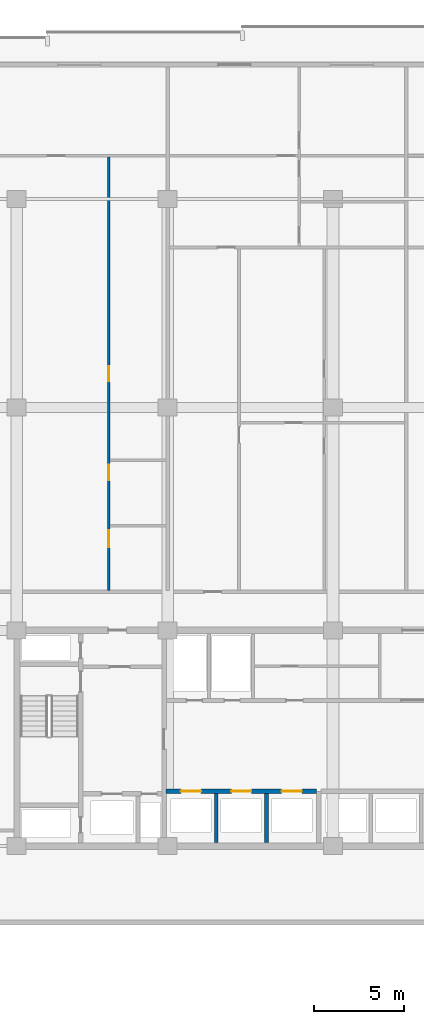
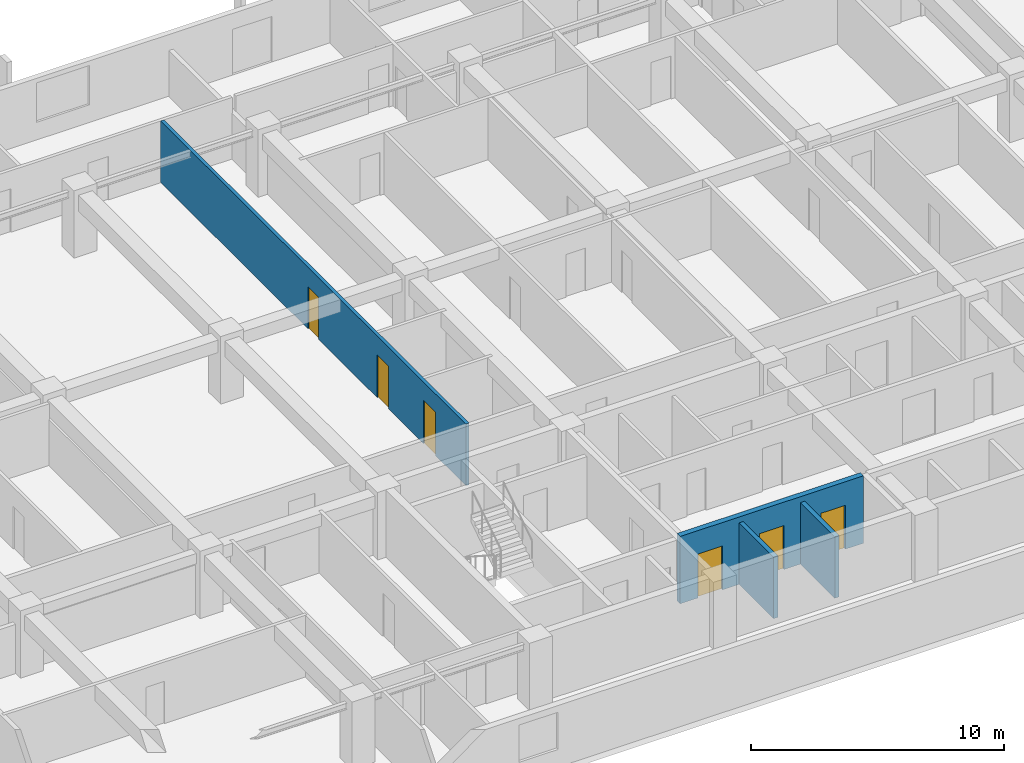
# One storey, part 10 of 23: 6 doors, 4 walls, 6 openings.
"""IFC4 building model written with IfcOpenShell, lengths in metres."""

from ifc_helpers import new_model, si_unit, direction, frame, frame_2d, origin, place, context, subcontext, project, spatial, rectangle, extrude, material, layer, layer_set, type_object, element, fill, save


model = new_model("IFC4")

# Units and contexts
model_context = context("Model", 3, precision=1e-05, world=origin(), true_north=direction((0.0, 1.0)))
body_context = subcontext(model_context, "Body", "Model", "MODEL_VIEW")
ifc_project = project(units=[si_unit("LENGTHUNIT", "METRE"), si_unit("AREAUNIT", "SQUARE_METRE"), si_unit("VOLUMEUNIT", "CUBIC_METRE"), si_unit("PLANEANGLEUNIT", "RADIAN"), si_unit("MASSUNIT", "GRAM", prefix="KILO")], contexts=[model_context])

# Site, building, storey
site_placement = place(None, origin())
site = spatial("IfcSite", under=ifc_project, at=site_placement, CompositionType="ELEMENT")
building_placement = place(site_placement, origin())
building = spatial("IfcBuilding", under=site, at=building_placement, Name="Korimba Cascade Residences", CompositionType="ELEMENT")
storey_placement = place(building_placement, frame((0.0, 0.0, 33.75)))
storey = spatial("IfcBuildingStorey", under=building, at=storey_placement, Name="L08", CompositionType="ELEMENT", Elevation=33.75)

# Wall, openings, doors
ifc_material_1 = material(Name="Insulated Acoustic Stud Partition", Category="gypsum")
ifc_layer_1 = layer(ifc_material_1, 0.14990234375)
ifc_layer_set_1 = layer_set([ifc_layer_1], Name="Insulated Acoustic Stud Partition")
wall_type_1 = type_object("IfcWallType", Name="WAL-PART-150", PredefinedType="PARTITIONING", material=ifc_layer_set_1)
wall_1_placement = place(storey_placement, frame((81.2294921875, 69.409912109375, 0.0), z_axis=(0.0, 0.0, 1.0), x_axis=(0.0, 1.0, 0.0)))
wall_1 = element("IfcWall", 1, at=wall_1_placement, inside=storey, type_object=wall_type_1, Name="L08 Partition Wall WAL-L08-T1-U02-WCV", PredefinedType="PARTITIONING", context=body_context, shape_type="SweptSolid", body=[
    extrude(rectangle(XDim=24.130126953125, YDim=0.14990234375, at=frame_2d((12.06494140625, 0.0))), origin(), (0.0, 0.0, 1.0), 2.969970703125),
])
opening_1_placement = place(wall_1_placement, frame((2.406005859375, 0.0, 0.0)))
opening_1 = element("IfcOpeningElement", 2, at=opening_1_placement, cuts=wall_1, Name="Opening D-AC1", PredefinedType="OPENING", context=body_context, shape_type="SweptSolid", body=[
    extrude(rectangle(XDim=0.9599609375, YDim=2.10009765625, at=frame_2d((0.47998046875, 1.050048828125))), frame((0.0, 0.0849609375, 0.0), z_axis=(0.0, -1.0, 0.0), x_axis=(1.0, 0.0, 0.0)), (0.0, 0.0, 1.0), 0.169921875),
])
opening_2_placement = place(wall_1_placement, frame((6.132568359375, 0.0, 0.0)))
opening_2 = element("IfcOpeningElement", 3, at=opening_2_placement, cuts=wall_1, Name="Opening D-IN2", PredefinedType="OPENING", context=body_context, shape_type="SweptSolid", body=[
    extrude(rectangle(XDim=0.8798828125, YDim=2.06005859375, at=frame_2d((0.43994140625, 1.030029296875))), frame((0.0, 0.0849609375, 0.0), z_axis=(0.0, -1.0, 0.0), x_axis=(1.0, 0.0, 0.0)), (0.0, 0.0, 1.0), 0.169921875),
])
opening_3_placement = place(wall_1_placement, frame((11.64501953125, 0.0, 0.0)))
opening_3 = element("IfcOpeningElement", 4, at=opening_3_placement, cuts=wall_1, Name="Opening D-BT1", PredefinedType="OPENING", context=body_context, shape_type="SweptSolid", body=[
    extrude(rectangle(XDim=0.840087890625, YDim=2.0400390625, at=frame_2d((0.419921875, 1.02001953125))), frame((0.0, 0.0849609375, 0.0), z_axis=(0.0, -1.0, 0.0), x_axis=(1.0, 0.0, 0.0)), (0.0, 0.0, 1.0), 0.169921875),
])
ifc_material_2 = material(Name="Accessible Acoustic Timber WC Door", Category="wood")
door_type_1 = type_object("IfcDoorType", Name="DR-ACC-950", OperationType="NOTDEFINED", PredefinedType="DOOR", material=ifc_material_2)
door_1_placement = place(opening_1_placement, origin())
door_1 = element("IfcDoor", 5, at=door_1_placement, inside=storey, type_object=door_type_1, Name="L08-T1-U02 Accessible WC Door", OperationType="SINGLE_SWING_RIGHT", OverallHeight=2.10009765625, OverallWidth=0.9599609375, PredefinedType="DOOR", context=body_context, shape_type="SweptSolid", body=[
    extrude(rectangle(XDim=0.9599609375, YDim=2.10009765625, at=frame_2d((0.47998046875, 1.050048828125))), frame((0.0, 0.02490234375, 0.0), z_axis=(0.0, -1.0, 0.0), x_axis=(1.0, 0.0, 0.0)), (0.0, 0.0, 1.0), 0.050048828125),
])
fill(opening_1, door_1)
ifc_material_3 = material(Name="Moisture-Resistant Bathroom Timber Door", Category="wood")
door_type_2 = type_object("IfcDoorType", Name="DR-INT-850", OperationType="NOTDEFINED", PredefinedType="DOOR", material=ifc_material_3)
door_2_placement = place(opening_3_placement, origin())
door_2 = element("IfcDoor", 6, at=door_2_placement, inside=storey, type_object=door_type_2, Name="L08-T1-U02 Suite Store Door", OperationType="SINGLE_SWING_RIGHT", OverallHeight=2.0400390625, OverallWidth=0.840087890625, PredefinedType="DOOR", context=body_context, shape_type="SweptSolid", body=[
    extrude(rectangle(XDim=0.840087890625, YDim=2.0400390625, at=frame_2d((0.419921875, 1.02001953125))), frame((0.0, 0.02490234375, 0.0), z_axis=(0.0, -1.0, 0.0), x_axis=(1.0, 0.0, 0.0)), (0.0, 0.0, 1.0), 0.050048828125),
])
fill(opening_3, door_2)
ifc_material_4 = material(Name="Acoustic Timber Bedroom Door", Category="wood")
door_type_3 = type_object("IfcDoorType", Name="DR-INT-880", OperationType="NOTDEFINED", PredefinedType="DOOR", material=ifc_material_4)
door_3_placement = place(opening_2_placement, origin())
door_3 = element("IfcDoor", 7, at=door_3_placement, inside=storey, type_object=door_type_3, Name="L08-T1-U02 Restroom WC Door", OperationType="SINGLE_SWING_LEFT", OverallHeight=2.06005859375, OverallWidth=0.8798828125, PredefinedType="DOOR", context=body_context, shape_type="SweptSolid", body=[
    extrude(rectangle(XDim=0.8798828125, YDim=2.06005859375, at=frame_2d((0.43994140625, 1.030029296875))), frame((0.0, 0.02490234375, 0.0), z_axis=(0.0, -1.0, 0.0), x_axis=(1.0, 0.0, 0.0)), (0.0, 0.0, 1.0), 0.050048828125),
])
fill(opening_2, door_3)

# Walls
ifc_material_5 = material(Name="Concrete C40/50", Category="concrete")
ifc_layer_2 = layer(ifc_material_5, 0.199951171875)
ifc_layer_set_2 = layer_set([ifc_layer_2], Name="Concrete C40/50")
wall_type_2 = type_object("IfcWallType", Name="WAL-PART-200", PredefinedType="PARTITIONING", material=ifc_layer_set_2)
for number, where, z_axis, x_axis, name in (
    (8, (87.199951171875, 55.39990234375, 0.0), (0.0, 0.0, 1.0), (0.0, 1.0, 0.0), "L08 Partition Wall CW-L08-T1-B1D1"),
    (9, (90.0, 55.39990234375, 0.0), (0.0, 0.0, 1.0), (0.0, 1.0, 0.0), "L08 Partition Wall CW-L08-T1-B1D2"),
):
    element("IfcWall", number, at=place(storey_placement, frame(where, z_axis=z_axis, x_axis=x_axis)), inside=storey, type_object=wall_type_2, Name=name, PredefinedType="PARTITIONING", context=body_context, shape_type="SweptSolid", body=[
        extrude(rectangle(XDim=2.72021484375, YDim=0.199951171875, at=frame_2d((1.360107421875, 0.0))), origin(), (0.0, 0.0, 1.0), 2.969970703125),
    ])

# Wall, openings, doors
ifc_material_6 = material(Name="Concrete C50/60", Category="concrete")
ifc_layer_3 = layer(ifc_material_6, 0.25)
ifc_layer_set_3 = layer_set([ifc_layer_3], Name="Concrete C50/60")
wall_type_3 = type_object("IfcWallType", Name="WAL-SHAFT-250", PredefinedType="SHEAR", material=ifc_layer_set_3)
wall_2_placement = place(storey_placement, frame((84.419921875, 58.25, 0.0), z_axis=(0.0, 0.0, 1.0), x_axis=(1.0, 0.0, 0.0)))
wall_2 = element("IfcWall", 10, at=wall_2_placement, inside=storey, type_object=wall_type_3, Name="L08 Core Shear Wall CW-L08-T1-B1N", PredefinedType="SHEAR", context=body_context, shape_type="SweptSolid", body=[
    extrude(rectangle(XDim=8.360107421875, YDim=0.25, at=frame_2d((4.18017578125, 0.0))), origin(), (0.0, 0.0, 1.0), 3.25),
])
opening_4_placement = place(wall_2_placement, frame((0.820068359375, 0.0, 0.0)))
opening_4 = element("IfcOpeningElement", 11, at=opening_4_placement, cuts=wall_2, Name="Opening LD-01", PredefinedType="OPENING", context=body_context, shape_type="SweptSolid", body=[
    extrude(rectangle(XDim=1.1201171875, YDim=2.1201171875, at=frame_2d((0.56005859375, 1.06005859375))), frame((0.0, 0.135009765625, 0.0), z_axis=(0.0, -1.0, 0.0), x_axis=(1.0, 0.0, 0.0)), (0.0, 0.0, 1.0), 0.27001953125),
])
opening_5_placement = place(wall_2_placement, frame((3.6201171875, 0.0, 0.0)))
opening_5 = element("IfcOpeningElement", 12, at=opening_5_placement, cuts=wall_2, Name="Opening LD-01", PredefinedType="OPENING", context=body_context, shape_type="SweptSolid", body=[
    extrude(rectangle(XDim=1.1201171875, YDim=2.1201171875, at=frame_2d((0.56005859375, 1.06005859375))), frame((0.0, 0.135009765625, 0.0), z_axis=(0.0, -1.0, 0.0), x_axis=(1.0, 0.0, 0.0)), (0.0, 0.0, 1.0), 0.27001953125),
])
opening_6_placement = place(wall_2_placement, frame((6.419921875, 0.0, 0.0)))
opening_6 = element("IfcOpeningElement", 13, at=opening_6_placement, cuts=wall_2, Name="Opening LD-01", PredefinedType="OPENING", context=body_context, shape_type="SweptSolid", body=[
    extrude(rectangle(XDim=1.1201171875, YDim=2.1201171875, at=frame_2d((0.56005859375, 1.06005859375))), frame((0.0, 0.135009765625, 0.0), z_axis=(0.0, -1.0, 0.0), x_axis=(1.0, 0.0, 0.0)), (0.0, 0.0, 1.0), 0.27001953125),
])
ifc_material_7 = material(Name="Stainless Steel Lift Landing Sliding Door", Category="steel")
door_type_4 = type_object("IfcDoorType", Name="DR-LIFT-1100", OperationType="NOTDEFINED", PredefinedType="DOOR", material=ifc_material_7)
door_4_placement = place(opening_4_placement, origin())
door_4 = element("IfcDoor", 14, at=door_4_placement, inside=storey, type_object=door_type_4, Name="L08 Lift Landing Door PL-W1", OperationType="SLIDING_TO_LEFT", OverallHeight=2.1201171875, OverallWidth=1.1201171875, PredefinedType="DOOR", context=body_context, shape_type="SweptSolid", body=[
    extrude(rectangle(XDim=1.1201171875, YDim=2.1201171875, at=frame_2d((0.56005859375, 1.06005859375))), frame((0.0, 0.02490234375, 0.0), z_axis=(0.0, -1.0, 0.0), x_axis=(1.0, 0.0, 0.0)), (0.0, 0.0, 1.0), 0.050048828125),
])
fill(opening_4, door_4)
door_5_placement = place(opening_5_placement, origin())
door_5 = element("IfcDoor", 15, at=door_5_placement, inside=storey, type_object=door_type_4, Name="L08 Lift Landing Door PL-W2", OperationType="SLIDING_TO_LEFT", OverallHeight=2.1201171875, OverallWidth=1.1201171875, PredefinedType="DOOR", context=body_context, shape_type="SweptSolid", body=[
    extrude(rectangle(XDim=1.1201171875, YDim=2.1201171875, at=frame_2d((0.56005859375, 1.06005859375))), frame((0.0, 0.02490234375, 0.0), z_axis=(0.0, -1.0, 0.0), x_axis=(1.0, 0.0, 0.0)), (0.0, 0.0, 1.0), 0.050048828125),
])
fill(opening_5, door_5)
door_6_placement = place(opening_6_placement, origin())
door_6 = element("IfcDoor", 16, at=door_6_placement, inside=storey, type_object=door_type_4, Name="L08 Lift Landing Door PL-W3", OperationType="SLIDING_TO_LEFT", OverallHeight=2.1201171875, OverallWidth=1.1201171875, PredefinedType="DOOR", context=body_context, shape_type="SweptSolid", body=[
    extrude(rectangle(XDim=1.1201171875, YDim=2.1201171875, at=frame_2d((0.56005859375, 1.06005859375))), frame((0.0, 0.02490234375, 0.0), z_axis=(0.0, -1.0, 0.0), x_axis=(1.0, 0.0, 0.0)), (0.0, 0.0, 1.0), 0.050048828125),
])
fill(opening_6, door_6)

save(model, "model.ifc")
